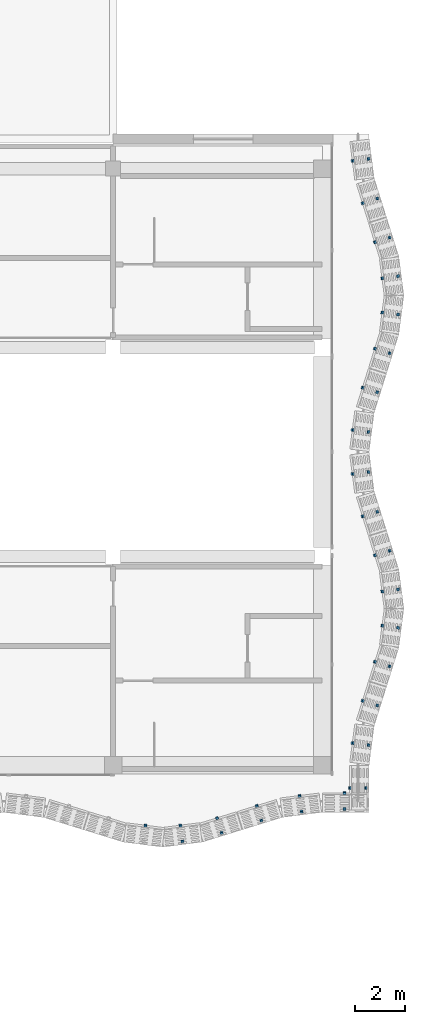
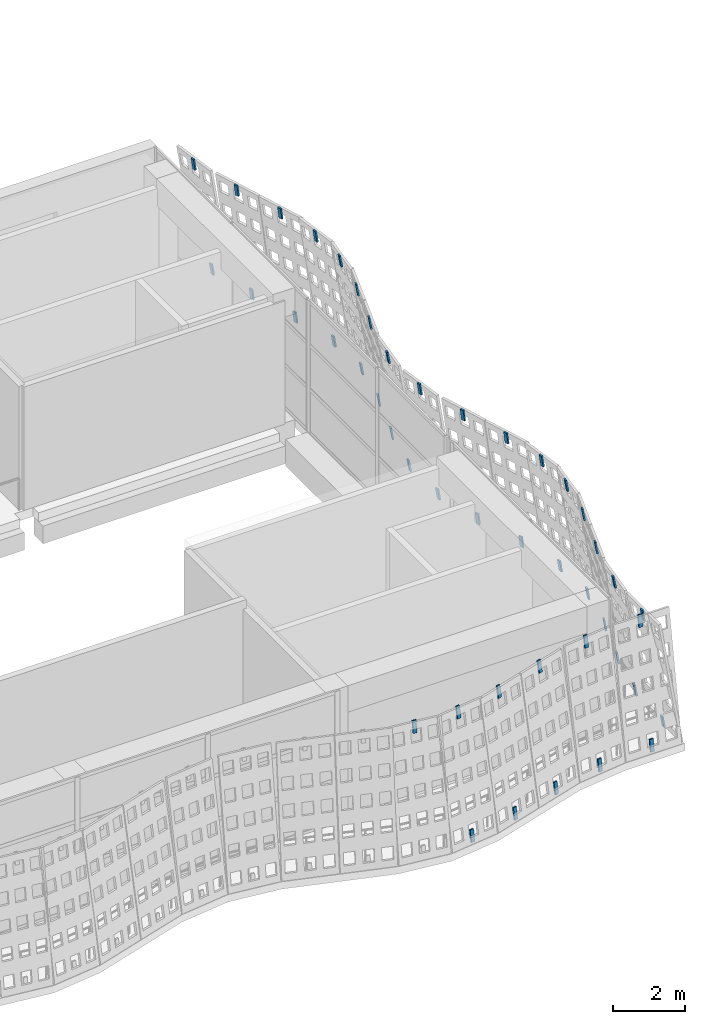
# One storey, part 112 of 162: 45 discrete accessories.
"""IFC4 building model written with IfcOpenShell, lengths in metres."""

from ifc_helpers import new_model, si_unit, direction, frame, origin, origin_2d, place, context, subcontext, project, spatial, rectangle, extrude, material, material_profile, profile_set, type_object, element, save


model = new_model("IFC4")

# Units and contexts
model_context = context("Model", 3, precision=1e-05, world=origin(), true_north=direction((0.0, 1.0)))
body_context = subcontext(model_context, "Body", "Model", "MODEL_VIEW")
ifc_project = project(units=[si_unit("LENGTHUNIT", "METRE"), si_unit("AREAUNIT", "SQUARE_METRE"), si_unit("VOLUMEUNIT", "CUBIC_METRE"), si_unit("PLANEANGLEUNIT", "RADIAN"), si_unit("MASSUNIT", "GRAM", prefix="KILO")], contexts=[model_context])

# Site, building, storey
site_placement = place(None, origin())
site = spatial("IfcSite", under=ifc_project, at=site_placement, CompositionType="ELEMENT")
building_placement = place(site_placement, origin())
building = spatial("IfcBuilding", under=site, at=building_placement, Name="Rain Tree Exposition and Congress Centre", CompositionType="ELEMENT")
storey_placement = place(building_placement, frame((0.0, 0.0, 6.0)))
storey = spatial("IfcBuildingStorey", under=building, at=storey_placement, Name="L01", CompositionType="ELEMENT", Elevation=6.0)

# Discrete accessories
ifc_material = material(Name="Steel S355J2", Category="steel")
ifc_material_profile = material_profile(ifc_material, rectangle(XDim=0.1201171875, YDim=0.050048828125, at=origin_2d()), Name="Flat bar 120x50")
ifc_profile_set = profile_set([ifc_material_profile], Name="Steel S355J2")
discrete_accessory_type = type_object("IfcDiscreteAccessoryType", Name="Screen bracket 120x50", PredefinedType="BRACKET", material=ifc_profile_set)
for number, where, z_axis, x_axis, name in (
    (1, (261.693115234375, 73.141357421875, 3.851318359375), (0.020753706516, 0.162977636468, 0.986411462665), (-0.991989449114, 0.12632075382, 0.0), "concourse/bracket/L01/1641t"),
    (2, (263.10693359375, 73.141357421875, 3.851318359375), (-0.020753706516, 0.162977636468, 0.986411462665), (-0.991989449114, -0.12632075382, 0.0), "concourse/bracket/L01/1651t"),
    (3, (263.188232421875, 72.506591796875, 0.004150390625), (-0.020753706516, 0.162977636468, 0.986411462665), (-0.991989449114, -0.12632075382, 0.0), "concourse/bracket/L01/1651b"),
):
    element("IfcDiscreteAccessory", number, at=place(storey_placement, frame(where, z_axis=z_axis, x_axis=x_axis)), inside=storey, type_object=discrete_accessory_type, Name=name, PredefinedType="BRACKET", context=body_context, shape_type="SweptSolid", body=[
        extrude(rectangle(XDim=0.1201171875, YDim=0.050048828125, at=origin_2d()), origin(), (0.0, 0.0, 1.0), 0.39990234375),
    ])
for number, where, z_axis, x_axis, name in (
    (4, (264.590087890625, 73.4423828125, 3.85107421875), (-0.04699262887, 0.150742588713, 0.987455500152), (-0.954686073127, -0.297614686764, 0.0), "concourse/bracket/L01/1661t"),
    (5, (264.772216796875, 72.853515625, 0.00390625), (-0.046383656621, 0.150746884018, 0.987483637007), (-0.955779008722, -0.294085848838, 0.0), "concourse/bracket/L01/1661b"),
    (6, (266.186767578125, 73.936279296875, 3.85107421875), (-0.046383656621, 0.150746884018, 0.987483637007), (-0.955779008722, -0.294085848838, 0.0), "concourse/bracket/L01/1671t"),
    (7, (266.368896484375, 73.347412109375, 0.00390625), (-0.04637938116, 0.151343243786, 0.9873926147), (-0.956111824862, -0.293002010845, 0.0), "concourse/bracket/L01/1671b"),
):
    element("IfcDiscreteAccessory", number, at=place(storey_placement, frame(where, z_axis=z_axis, x_axis=x_axis)), inside=storey, type_object=discrete_accessory_type, Name=name, PredefinedType="BRACKET", context=body_context, shape_type="SweptSolid", body=[
        extrude(rectangle(XDim=0.1201171875, YDim=0.050048828125, at=origin_2d()), origin(), (0.0, 0.0, 1.0), 0.400146484375),
    ])
for number, where, z_axis, x_axis, name in (
    (8, (267.9052734375, 74.336181640625, 3.851318359375), (-0.020753706516, 0.162977636468, 0.986411462665), (-0.991989449114, -0.12632075382, 0.0), "concourse/bracket/L01/1681t"),
    (9, (267.986572265625, 73.701416015625, 0.004150390625), (-0.020753706516, 0.162977636468, 0.986411462665), (-0.991989449114, -0.12632075382, 0.0), "concourse/bracket/L01/1681b"),
):
    element("IfcDiscreteAccessory", number, at=place(storey_placement, frame(where, z_axis=z_axis, x_axis=x_axis)), inside=storey, type_object=discrete_accessory_type, Name=name, PredefinedType="BRACKET", context=body_context, shape_type="SweptSolid", body=[
        extrude(rectangle(XDim=0.1201171875, YDim=0.050048828125, at=origin_2d()), origin(), (0.0, 0.0, 1.0), 0.39990234375),
    ])
for number, where, z_axis, x_axis, name in (
    (10, (269.710205078125, 74.449951171875, 3.851318359375), (0.0, 0.165388563864, 0.986228484147), (-1.0, 0.0, 0.0), "concourse/bracket/L01/1691t"),
    (11, (269.710205078125, 73.8046875, 0.004150390625), (0.0, 0.16598207031, 0.986128770666), (-1.0, 0.0, 0.0), "concourse/bracket/L01/1691b"),
    (12, (269.949951171875, 74.68994140625, 3.851318359375), (-0.165388563864, 0.0, 0.986228484147), (0.0, -1.0, 0.0), "concourse/bracket/L01/1701t"),
    (13, (270.59521484375, 74.68994140625, 0.004150390625), (-0.165388563864, 0.0, 0.986228484147), (0.0, -1.0, 0.0), "concourse/bracket/L01/1701b"),
):
    element("IfcDiscreteAccessory", number, at=place(storey_placement, frame(where, z_axis=z_axis, x_axis=x_axis)), inside=storey, type_object=discrete_accessory_type, Name=name, PredefinedType="BRACKET", context=body_context, shape_type="SweptSolid", body=[
        extrude(rectangle(XDim=0.1201171875, YDim=0.050048828125, at=origin_2d()), origin(), (0.0, 0.0, 1.0), 0.400146484375),
    ])
for number, where, z_axis, x_axis, name in (
    (14, (270.064208984375, 76.483642578125, 3.851318359375), (-0.162975541524, 0.021363835031, 0.986398783159), (-0.129974188098, -0.991517377774, 0.0), "concourse/bracket/L01/1711t"),
    (15, (270.698486328125, 76.401123046875, 0.004150390625), (-0.162383358115, 0.020755767579, 0.986509423736), (-0.126788023985, -0.991929834703, 0.0), "concourse/bracket/L01/1711b"),
):
    element("IfcDiscreteAccessory", number, at=place(storey_placement, frame(where, z_axis=z_axis, x_axis=x_axis)), inside=storey, type_object=discrete_accessory_type, Name=name, PredefinedType="BRACKET", context=body_context, shape_type="SweptSolid", body=[
        extrude(rectangle(XDim=0.1201171875, YDim=0.050048828125, at=origin_2d()), origin(), (0.0, 0.0, 1.0), 0.39990234375),
    ])
for number, where, z_axis, x_axis, name in (
    (16, (270.465576171875, 78.178466796875, 3.85107421875), (-0.150738237635, 0.047601548727, 0.987426997946), (-0.301131367937, -0.953582665134, 0.0), "concourse/bracket/L01/1721t"),
    (17, (271.052734375, 77.993896484375, 0.00390625), (-0.150738237635, 0.047601548727, 0.987426997946), (-0.301131367937, -0.953582665134, 0.0), "concourse/bracket/L01/1721b"),
    (18, (270.95947265625, 79.75, 3.85107421875), (-0.150738237635, 0.047601548727, 0.987426997946), (-0.301131367937, -0.953582665134, 0.0), "concourse/bracket/L01/1731t"),
    (19, (271.546630859375, 79.565673828125, 0.00390625), (-0.150738237635, 0.047601548727, 0.987426997946), (-0.301131367937, -0.953582665134, 0.0), "concourse/bracket/L01/1731b"),
):
    element("IfcDiscreteAccessory", number, at=place(storey_placement, frame(where, z_axis=z_axis, x_axis=x_axis)), inside=storey, type_object=discrete_accessory_type, Name=name, PredefinedType="BRACKET", context=body_context, shape_type="SweptSolid", body=[
        extrude(rectangle(XDim=0.1201171875, YDim=0.050048828125, at=origin_2d()), origin(), (0.0, 0.0, 1.0), 0.400146484375),
    ])
for number, where, z_axis, x_axis, name in (
    (20, (271.259033203125, 81.20703125, 3.851318359375), (-0.162977636468, 0.020753706516, 0.986411462665), (-0.12632075382, -0.991989449114, 0.0), "concourse/bracket/L01/1741t"),
    (21, (271.893310546875, 81.12451171875, 0.004150390625), (-0.162383358115, 0.020755767579, 0.986509423736), (-0.126788023985, -0.991929834703, 0.0), "concourse/bracket/L01/1741b"),
    (22, (271.259033203125, 82.593017578125, 3.851318359375), (-0.162977636468, -0.020753706516, 0.986411462665), (0.12632075382, -0.991989449114, 0.0), "concourse/bracket/L01/1751t"),
    (23, (271.893310546875, 82.675537109375, 0.004150390625), (-0.162381270396, -0.021365956631, 0.986496740452), (0.130454512571, -0.991454295543, 0.0), "concourse/bracket/L01/1751b"),
):
    element("IfcDiscreteAccessory", number, at=place(storey_placement, frame(where, z_axis=z_axis, x_axis=x_axis)), inside=storey, type_object=discrete_accessory_type, Name=name, PredefinedType="BRACKET", context=body_context, shape_type="SweptSolid", body=[
        extrude(rectangle(XDim=0.1201171875, YDim=0.050048828125, at=origin_2d()), origin(), (0.0, 0.0, 1.0), 0.39990234375),
    ])
for number, where, z_axis, x_axis, name in (
    (24, (270.95947265625, 84.0498046875, 3.85107421875), (-0.150742588713, -0.04699262887, 0.987455500152), (0.297614686764, -0.954686073127, 0.0), "concourse/bracket/L01/1761t"),
    (25, (271.546630859375, 84.234375, 0.00390625), (-0.150738237635, -0.047601548727, 0.987426997946), (0.301131367937, -0.953582665134, 0.0), "concourse/bracket/L01/1761b"),
    (26, (270.465576171875, 85.62158203125, 3.85107421875), (-0.150738237635, -0.047601548727, 0.987426997946), (0.301131367937, -0.953582665134, 0.0), "concourse/bracket/L01/1771t"),
    (27, (271.052734375, 85.805908203125, 0.00390625), (-0.150742588713, -0.04699262887, 0.987455500152), (0.297614686764, -0.954686073127, 0.0), "concourse/bracket/L01/1771b"),
):
    element("IfcDiscreteAccessory", number, at=place(storey_placement, frame(where, z_axis=z_axis, x_axis=x_axis)), inside=storey, type_object=discrete_accessory_type, Name=name, PredefinedType="BRACKET", context=body_context, shape_type="SweptSolid", body=[
        extrude(rectangle(XDim=0.1201171875, YDim=0.050048828125, at=origin_2d()), origin(), (0.0, 0.0, 1.0), 0.400146484375),
    ])
for number, where, z_axis, x_axis, name in (
    (28, (270.064208984375, 87.31640625, 3.851318359375), (-0.162975541524, -0.021363835031, 0.986398783159), (0.129974188098, -0.991517377774, 0.0), "concourse/bracket/L01/1781t"),
    (29, (270.698486328125, 87.39892578125, 0.004150390625), (-0.162381270396, -0.021365956631, 0.986496740452), (0.130454512571, -0.991454295543, 0.0), "concourse/bracket/L01/1781b"),
    (30, (270.064208984375, 89.08349609375, 3.851318359375), (-0.162975541524, 0.021363835031, 0.986398783159), (-0.129974188098, -0.991517377774, 0.0), "concourse/bracket/L01/1791t"),
    (31, (270.698486328125, 89.001220703125, 0.004150390625), (-0.162383358115, 0.020755767579, 0.986509423736), (-0.126788023985, -0.991929834703, 0.0), "concourse/bracket/L01/1791b"),
):
    element("IfcDiscreteAccessory", number, at=place(storey_placement, frame(where, z_axis=z_axis, x_axis=x_axis)), inside=storey, type_object=discrete_accessory_type, Name=name, PredefinedType="BRACKET", context=body_context, shape_type="SweptSolid", body=[
        extrude(rectangle(XDim=0.1201171875, YDim=0.050048828125, at=origin_2d()), origin(), (0.0, 0.0, 1.0), 0.39990234375),
    ])
for number, where, z_axis, x_axis, name in (
    (32, (270.465576171875, 90.778564453125, 3.85107421875), (-0.150742588713, 0.04699262887, 0.987455500152), (-0.297614686764, -0.954686073127, 0.0), "concourse/bracket/L01/1801t"),
    (33, (271.052734375, 90.593994140625, 0.00390625), (-0.150742588713, 0.04699262887, 0.987455500152), (-0.297614686764, -0.954686073127, 0.0), "concourse/bracket/L01/1801b"),
    (34, (270.95947265625, 92.35009765625, 3.85107421875), (-0.150738237635, 0.047601548727, 0.987426997946), (-0.301131367937, -0.953582665134, 0.0), "concourse/bracket/L01/1811t"),
    (35, (271.546630859375, 92.16552734375, 0.00390625), (-0.150738237635, 0.047601548727, 0.987426997946), (-0.301131367937, -0.953582665134, 0.0), "concourse/bracket/L01/1811b"),
):
    element("IfcDiscreteAccessory", number, at=place(storey_placement, frame(where, z_axis=z_axis, x_axis=x_axis)), inside=storey, type_object=discrete_accessory_type, Name=name, PredefinedType="BRACKET", context=body_context, shape_type="SweptSolid", body=[
        extrude(rectangle(XDim=0.1201171875, YDim=0.050048828125, at=origin_2d()), origin(), (0.0, 0.0, 1.0), 0.400146484375),
    ])
for number, where, z_axis, x_axis, name in (
    (36, (271.259033203125, 93.806884765625, 3.851318359375), (-0.162975541524, 0.021363835031, 0.986398783159), (-0.129974188098, -0.991517377774, 0.0), "concourse/bracket/L01/1821t"),
    (37, (271.893310546875, 93.724365234375, 0.004150390625), (-0.162381270396, 0.021365956631, 0.986496740452), (-0.130454512571, -0.991454295543, 0.0), "concourse/bracket/L01/1821b"),
    (38, (271.259033203125, 95.193115234375, 3.851318359375), (-0.162975541524, -0.021363835031, 0.986398783159), (0.129974188098, -0.991517377774, 0.0), "concourse/bracket/L01/1831t"),
    (39, (271.893310546875, 95.275634765625, 0.004150390625), (-0.162381270396, -0.021365956631, 0.986496740452), (0.130454512571, -0.991454295543, 0.0), "concourse/bracket/L01/1831b"),
):
    element("IfcDiscreteAccessory", number, at=place(storey_placement, frame(where, z_axis=z_axis, x_axis=x_axis)), inside=storey, type_object=discrete_accessory_type, Name=name, PredefinedType="BRACKET", context=body_context, shape_type="SweptSolid", body=[
        extrude(rectangle(XDim=0.1201171875, YDim=0.050048828125, at=origin_2d()), origin(), (0.0, 0.0, 1.0), 0.39990234375),
    ])
for number, where, z_axis, x_axis, name in (
    (40, (270.95947265625, 96.64990234375, 3.85107421875), (-0.150738237635, -0.047601548727, 0.987426997946), (0.301131367937, -0.953582665134, 0.0), "concourse/bracket/L01/1841t"),
    (41, (271.546630859375, 96.83447265625, 0.00390625), (-0.150738237635, -0.047601548727, 0.987426997946), (0.301131367937, -0.953582665134, 0.0), "concourse/bracket/L01/1841b"),
    (42, (270.465576171875, 98.221435546875, 3.85107421875), (-0.150742588713, -0.04699262887, 0.987455500152), (0.297614686764, -0.954686073127, 0.0), "concourse/bracket/L01/1851t"),
    (43, (271.052734375, 98.406005859375, 0.00390625), (-0.150742588713, -0.04699262887, 0.987455500152), (0.297614686764, -0.954686073127, 0.0), "concourse/bracket/L01/1851b"),
):
    element("IfcDiscreteAccessory", number, at=place(storey_placement, frame(where, z_axis=z_axis, x_axis=x_axis)), inside=storey, type_object=discrete_accessory_type, Name=name, PredefinedType="BRACKET", context=body_context, shape_type="SweptSolid", body=[
        extrude(rectangle(XDim=0.1201171875, YDim=0.050048828125, at=origin_2d()), origin(), (0.0, 0.0, 1.0), 0.400146484375),
    ])
for number, where, z_axis, x_axis, name in (
    (44, (270.064208984375, 99.91650390625, 3.851318359375), (-0.162975541524, -0.021363835031, 0.986398783159), (0.129974188098, -0.991517377774, 0.0), "concourse/bracket/L01/1861t"),
    (45, (270.698486328125, 99.998779296875, 0.004150390625), (-0.162383358115, -0.020755767579, 0.986509423736), (0.126788023985, -0.991929834703, 0.0), "concourse/bracket/L01/1861b"),
):
    element("IfcDiscreteAccessory", number, at=place(storey_placement, frame(where, z_axis=z_axis, x_axis=x_axis)), inside=storey, type_object=discrete_accessory_type, Name=name, PredefinedType="BRACKET", context=body_context, shape_type="SweptSolid", body=[
        extrude(rectangle(XDim=0.1201171875, YDim=0.050048828125, at=origin_2d()), origin(), (0.0, 0.0, 1.0), 0.39990234375),
    ])

save(model, "model.ifc")
